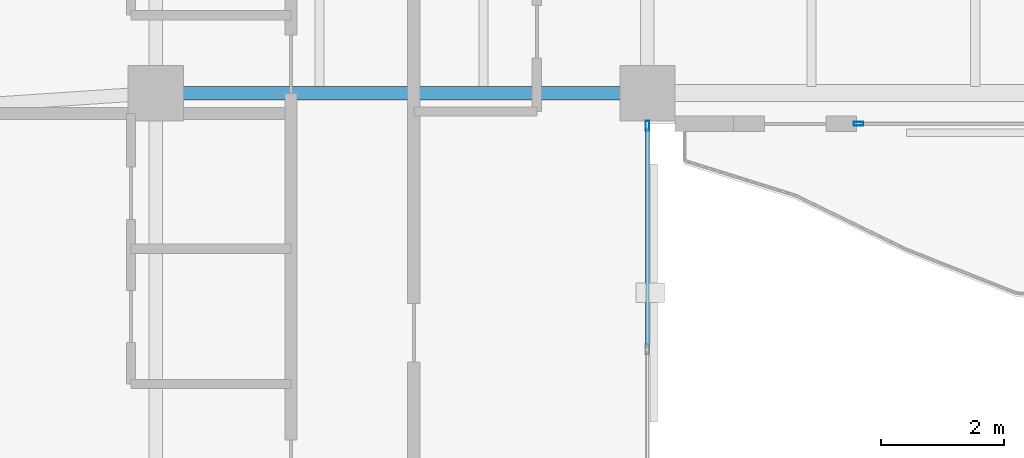
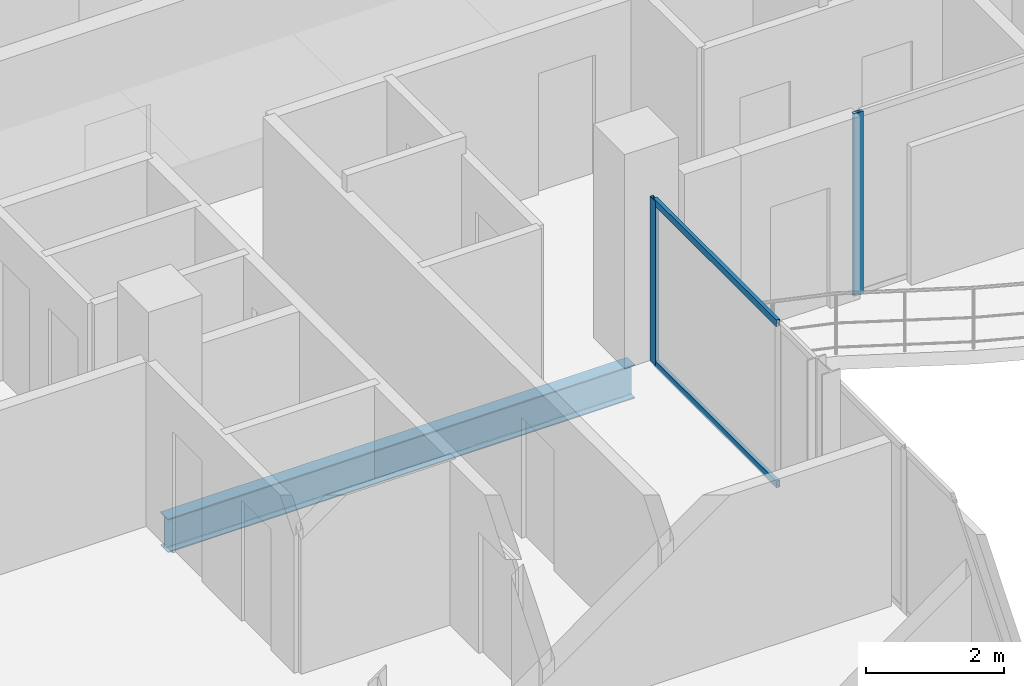
# One storey, part 8 of 22: 4 members, 1 beam, 2 elements without a shape of their own.
"""IFC4 building model written with IfcOpenShell, lengths in metres."""

import ifcopenshell
import ifcopenshell.guid

model = None  # the IFC model being written
_history = None  # IfcOwnerHistory: only IFC2X3 demands one
_inside = {}  # id of a spatial element -> (the spatial element, [elements in it])
_under = {}  # id of a project, library or spatial element -> (it, [spatial elements below it])
_declared = {}  # id of a project -> (the project, [libraries it declares])
_typed = {}  # id of a type object -> (the type object, [elements of that type])
_made_of = {}  # id of a material, layer set ... -> (it, [elements and type objects made of it])


def new_model(schema):
    """Start an empty IFC model of exactly this schema.

    Asked for "IFC4X3", IfcOpenShell would pick the latest addendum, in which some entities
    have other attributes; the version numbers below select the first issue.
    IFC2X3 requires an IfcOwnerHistory on every rooted entity: one is made here for all.
    """
    global model, _history
    if schema == "IFC4X3":
        model = ifcopenshell.file(schema_version=(4, 3, 0, 0))
    else:
        model = ifcopenshell.file(schema=schema)
    _inside.clear()
    _under.clear()
    _declared.clear()
    _typed.clear()
    _made_of.clear()
    _history = None
    if model.schema == "IFC2X3":
        org = make("IfcOrganization", Name="unknown")
        user = make(
            "IfcPersonAndOrganization",
            ThePerson=make("IfcPerson", FamilyName="unknown"),
            TheOrganization=org,
        )
        app = make(
            "IfcApplication",
            ApplicationDeveloper=org,
            Version="unknown",
            ApplicationFullName="unknown",
            ApplicationIdentifier="unknown",
        )
        _history = make(
            "IfcOwnerHistory",
            OwningUser=user,
            OwningApplication=app,
            ChangeAction="ADDED",
            CreationDate=0,
        )
    return model


def make(cls, **values):
    """One entity of the class cls with the attributes given. An attribute that is None is left unset."""
    return model.create_entity(
        cls, **{name: value for name, value in values.items() if value is not None}
    )


def rooted(cls, **values):
    """An entity with a GlobalId (a new one), such as an element, a storey or a relation."""
    return make(cls, GlobalId=ifcopenshell.guid.new(), OwnerHistory=_history, **values)


def si_unit(unit_type, name, prefix=None):
    """IfcSIUnit, for example si_unit("LENGTHUNIT", "METRE", prefix="MILLI")."""
    return make("IfcSIUnit", UnitType=unit_type, Prefix=prefix, Name=name)


def assignment(units):
    """IfcUnitAssignment: the units of a project."""
    return None if units is None else make("IfcUnitAssignment", Units=units)


def point(xyz):
    """IfcCartesianPoint."""
    return None if xyz is None else make("IfcCartesianPoint", Coordinates=xyz)


def direction(xyz):
    """IfcDirection."""
    return None if xyz is None else make("IfcDirection", DirectionRatios=xyz)


def frame(location, z_axis=None, x_axis=None):
    """IfcAxis2Placement3D, a coordinate frame: its origin and axes. An axis left out is left unset."""
    return make(
        "IfcAxis2Placement3D",
        Location=point(location),
        Axis=direction(z_axis),
        RefDirection=direction(x_axis),
    )


def frame_2d(location, x_axis=None):
    """IfcAxis2Placement2D, a coordinate frame in the plane: its origin and x axis."""
    return make(
        "IfcAxis2Placement2D", Location=point(location), RefDirection=direction(x_axis)
    )


def origin():
    """The frame at (0, 0, 0) with its axes left unset."""
    return frame((0.0, 0.0, 0.0))


def origin_2d():
    """The frame at (0, 0) in the plane with its x axis left unset."""
    return frame_2d((0.0, 0.0))


def place(relative_to, where):
    """IfcLocalPlacement: puts the frame where relative to a parent placement (None: the world)."""
    return make(
        "IfcLocalPlacement", PlacementRelTo=relative_to, RelativePlacement=where
    )


def context(
    kind, dimensions, precision=None, world=None, true_north=None, identifier=None
):
    """IfcGeometricRepresentationContext, for example the 3D "Model" context."""
    return make(
        "IfcGeometricRepresentationContext",
        ContextIdentifier=identifier,
        ContextType=kind,
        CoordinateSpaceDimension=dimensions,
        Precision=precision,
        WorldCoordinateSystem=world,
        TrueNorth=true_north,
    )


def subcontext(parent, identifier, kind, view, scale=None):
    """IfcGeometricRepresentationSubContext, for example "Body" below "Model"."""
    return make(
        "IfcGeometricRepresentationSubContext",
        ContextIdentifier=identifier,
        ContextType=kind,
        ParentContext=parent,
        TargetScale=scale,
        TargetView=view,
    )


def project(units=None, contexts=None):
    """IfcProject with its units and contexts."""
    return rooted(
        "IfcProject",
        Name="project",
        RepresentationContexts=contexts,
        UnitsInContext=assignment(units),
    )


def spatial(cls, under=None, at=None, **own):
    """A site, building, storey or space (cls), placed at a placement, below another one or the project."""
    s = rooted(cls, ObjectPlacement=at, **own)
    if under is not None:
        _under.setdefault(under.id(), (under, []))[1].append(s)
    return s


def profile(cls, at=None, kind="AREA", **sizes):
    """A parametric profile (cls). Its sizes go by their IFC names, for example OverallWidth=200.0."""
    return make(cls, ProfileType=kind, Position=at, **sizes)


def hollow_rectangle(**sizes):
    """IfcRectangleHollowProfileDef."""
    return profile("IfcRectangleHollowProfileDef", **sizes)


def i_section(**sizes):
    """IfcIShapeProfileDef."""
    return profile("IfcIShapeProfileDef", **sizes)


def extrude(swept, where, along, depth):
    """IfcExtrudedAreaSolid: the profile swept, set in the frame where, extruded along a direction by depth."""
    return make(
        "IfcExtrudedAreaSolid",
        SweptArea=swept,
        Position=where,
        ExtrudedDirection=direction(along),
        Depth=depth,
    )


def shape(context_of_items, identifier, shape_type, items):
    """IfcShapeRepresentation: the items that make up one representation, for example the "Body"."""
    return make(
        "IfcShapeRepresentation",
        ContextOfItems=context_of_items,
        RepresentationIdentifier=identifier,
        RepresentationType=shape_type,
        Items=items,
    )


def material(Name=None, Category=None):
    """IfcMaterial."""
    return make("IfcMaterial", Name=Name, Category=Category)


def layer(
    of_material, thickness, ventilated=None, Name=None, Category=None, Priority=None
):
    """IfcMaterialLayer: one layer of a wall or slab, of a material (None: an air gap)."""
    return make(
        "IfcMaterialLayer",
        Material=of_material,
        LayerThickness=thickness,
        IsVentilated=ventilated,
        Name=Name,
        Category=Category,
        Priority=Priority,
    )


def layer_set(layers, Name=None):
    """IfcMaterialLayerSet."""
    return make("IfcMaterialLayerSet", MaterialLayers=layers, LayerSetName=Name)


def material_profile(
    of_material, cross_section, Name=None, Category=None, Priority=None
):
    """IfcMaterialProfile: a cross section and its material."""
    return make(
        "IfcMaterialProfile",
        Name=Name,
        Material=of_material,
        Profile=cross_section,
        Priority=Priority,
        Category=Category,
    )


def profile_set(profiles, Name=None, composite=None):
    """IfcMaterialProfileSet."""
    return make(
        "IfcMaterialProfileSet",
        Name=Name,
        MaterialProfiles=profiles,
        CompositeProfile=composite,
    )


def made_of(thing, what):
    """Note that an element or type object is made of a material, layer set ...; save() writes the relation."""
    if what is not None:
        _made_of.setdefault(what.id(), (what, []))[1].append(thing)
    return thing


def type_object(cls, material=None, **own):
    """A type object (cls), such as IfcWallType, which elements share."""
    return made_of(rooted(cls, **own), material)


def element(
    cls,
    number,
    at=None,
    inside=None,
    cuts=None,
    type_object=None,
    material=None,
    context=None,
    identifier="Body",
    shape_type=None,
    held_by="IfcProductDefinitionShape",
    body=None,
    shapes=None,
    **own,
):
    """One element of the class cls, such as IfcWall. Its Tag is "e" and its number.

    at: its placement. inside: the storey or other place that contains it. cuts: it is an
    opening in that element (IfcRelVoidsElement). A single representation is given by context,
    identifier, shape_type and body (its items); several are given by shapes. held_by: the class
    of the entity that holds the representations. save() writes the other relations.
    """
    e = rooted(cls, Tag="e%d" % number, ObjectPlacement=at, **own)
    if body is not None:
        shapes = [shape(context, identifier, shape_type, body)]
    if shapes is not None:
        e.Representation = make(held_by, Representations=shapes)
    if inside is not None:
        _inside.setdefault(inside.id(), (inside, []))[1].append(e)
    if cuts is not None:
        rooted(
            "IfcRelVoidsElement", RelatingBuildingElement=cuts, RelatedOpeningElement=e
        )
    if type_object is not None:
        _typed.setdefault(type_object.id(), (type_object, []))[1].append(e)
    return made_of(e, material)


def aggregate(whole, parts):
    """IfcRelAggregates: a whole, such as a stair, and the parts it consists of."""
    return rooted("IfcRelAggregates", RelatingObject=whole, RelatedObjects=parts)


def save(model, path):
    """Write the relations noted so far, then the file.

    IfcRelAggregates (storeys below a building ...), IfcRelContainedInSpatialStructure (elements
    in a storey), IfcRelDefinesByType, IfcRelAssociatesMaterial and IfcRelDeclares: one each for
    every whole, place, type object, material and project.
    """
    for whole, parts in _under.values():
        aggregate(whole, parts)
    for where, things in _inside.values():
        rooted(
            "IfcRelContainedInSpatialStructure",
            RelatedElements=things,
            RelatingStructure=where,
        )
    for kind, things in _typed.values():
        rooted("IfcRelDefinesByType", RelatedObjects=things, RelatingType=kind)
    for what, things in _made_of.values():
        rooted("IfcRelAssociatesMaterial", RelatedObjects=things, RelatingMaterial=what)
    for by, libraries in _declared.values():
        rooted("IfcRelDeclares", RelatingContext=by, RelatedDefinitions=libraries)
    model.write(path)


model = new_model("IFC4")

# Units and contexts
model_context = context("Model", 3, precision=1e-05, world=origin(), true_north=direction((0.0, 1.0)))
body_context = subcontext(model_context, "Body", "Model", "MODEL_VIEW")
ifc_project = project(units=[si_unit("LENGTHUNIT", "METRE"), si_unit("AREAUNIT", "SQUARE_METRE"), si_unit("VOLUMEUNIT", "CUBIC_METRE"), si_unit("PLANEANGLEUNIT", "RADIAN"), si_unit("MASSUNIT", "GRAM", prefix="KILO")], contexts=[model_context])

# Site, building, storey
site_placement = place(None, origin())
site = spatial("IfcSite", under=ifc_project, at=site_placement, CompositionType="ELEMENT")
building_placement = place(site_placement, origin())
building = spatial("IfcBuilding", under=site, at=building_placement, Name="Catumbela Crestline Tower", CompositionType="ELEMENT")
storey_placement = place(building_placement, frame((0.0, 0.0, 229.8)))
storey = spatial("IfcBuildingStorey", under=building, at=storey_placement, Name="L59", CompositionType="ELEMENT", Elevation=229.8)

# Beam
ifc_material_1 = material(Name="Structural steel S355J2", Category="steel")
ifc_material_profile_1 = material_profile(ifc_material_1, i_section(OverallWidth=0.22, OverallDepth=0.6, WebThickness=0.012, FlangeThickness=0.019, FilletRadius=0.024, at=origin_2d()), Name="IPE 600")
ifc_profile_set_1 = profile_set([ifc_material_profile_1], Name="Structural steel S355J2")
beam_type = type_object("IfcBeamType", Name="BG-IPE600", PredefinedType="BEAM", material=ifc_profile_set_1)
beam_placement = place(storey_placement, frame((16.08, 24.5, -0.56), z_axis=(1.0, 0.0, 0.0), x_axis=(0.0, 1.0, 0.0)))
element("IfcBeam", 1, at=beam_placement, inside=storey, type_object=beam_type, Name="L59 Beam BM-L59-S03", PredefinedType="BEAM", context=body_context, shape_type="SweptSolid", body=[
    extrude(i_section(OverallWidth=0.22, OverallDepth=0.6, WebThickness=0.012, FlangeThickness=0.019, FilletRadius=0.024, at=origin_2d()), origin(), (0.0, 0.0, 1.0), 7.84),
])

# Curtain wall, member
ifc_material_2 = material(Name="Aluminium alloy AW-6060-T66", Category="aluminium")
ifc_layer = layer(ifc_material_2, 0.18, Name="Aluminium alloy AW-6060-T66")
ifc_layer_set = layer_set([ifc_layer], Name="Aluminium alloy AW-6060-T66")
curtain_wall_type = type_object("IfcCurtainWallType", Name="CWU-Z4", PredefinedType="USERDEFINED", material=ifc_layer_set)
curtain_wall_1_placement = place(storey_placement, origin())
curtain_wall_1 = element("IfcCurtainWall", 2, at=curtain_wall_1_placement, inside=storey, type_object=curtain_wall_type, Name="L59 Unitised Curtain Wall CW-L59-E2S1", ObjectType="UNITISED", PredefinedType="USERDEFINED")
ifc_material_profile_2 = material_profile(ifc_material_2, hollow_rectangle(XDim=0.06, YDim=0.16, WallThickness=0.004, at=origin_2d()), Name="ALU 160x60x4")
ifc_profile_set_2 = profile_set([ifc_material_profile_2], Name="Aluminium alloy AW-6060-T66")
member_type_1 = type_object("IfcMemberType", Name="MUL-160X60", PredefinedType="MULLION", material=ifc_profile_set_2)
member_1_placement = place(storey_placement, frame((24.0, 23.9675, 0.0), z_axis=(0.0, 0.0, 1.0), x_axis=(-1.0, 0.0, 0.0)))
member_1 = element("IfcMember", 3, at=member_1_placement, type_object=member_type_1, Name="CWU-Z4 mullion 4", PredefinedType="MULLION", context=body_context, shape_type="SweptSolid", body=[
    extrude(hollow_rectangle(XDim=0.06, YDim=0.16, WallThickness=0.004, at=origin_2d()), origin(), (0.0, 0.0, 1.0), 2.92),
])

curtain_wall_2_placement = place(storey_placement, origin())
curtain_wall_2 = element("IfcCurtainWall", 4, at=curtain_wall_2_placement, inside=storey, type_object=curtain_wall_type, Name="L59 Unitised Curtain Wall CW-L59-E3S2", ObjectType="UNITISED", PredefinedType="USERDEFINED")
member_2_placement = place(storey_placement, frame((27.4325, 24.0, 0.0), z_axis=(0.0, 0.0, 1.0), x_axis=(0.0, 1.0, 0.0)))
member_2 = element("IfcMember", 5, at=member_2_placement, type_object=member_type_1, Name="CWU-Z4 mullion 1", PredefinedType="MULLION", context=body_context, shape_type="SweptSolid", body=[
    extrude(hollow_rectangle(XDim=0.06, YDim=0.16, WallThickness=0.004, at=origin_2d()), origin(), (0.0, 0.0, 1.0), 3.24),
])
aggregate(curtain_wall_2, [member_2])

# Member
ifc_material_profile_3 = material_profile(ifc_material_2, hollow_rectangle(XDim=0.06, YDim=0.12, WallThickness=0.0035, at=origin_2d()), Name="ALU 120x60x3.5")
ifc_profile_set_3 = profile_set([ifc_material_profile_3], Name="Aluminium alloy AW-6060-T66")
member_type_2 = type_object("IfcMemberType", Name="TRN-120X60", PredefinedType="USERDEFINED", material=ifc_profile_set_3)
member_3_placement = place(storey_placement, frame((24.0, 20.3658, 0.03), z_axis=(0.0, 1.0, 0.0), x_axis=(-1.0, 0.0, 0.0)))
member_3 = element("IfcMember", 6, at=member_3_placement, type_object=member_type_2, Name="CWU-Z4 transom 3.1", ObjectType="TRANSOM", PredefinedType="USERDEFINED", context=body_context, shape_type="SweptSolid", body=[
    extrude(hollow_rectangle(XDim=0.06, YDim=0.12, WallThickness=0.0035, at=origin_2d()), origin(), (0.0, 0.0, 1.0), 3.5692),
])

member_4_placement = place(storey_placement, frame((24.0, 20.3658, 2.89), z_axis=(0.0, 1.0, 0.0), x_axis=(-1.0, 0.0, 0.0)))
member_4 = element("IfcMember", 7, at=member_4_placement, type_object=member_type_2, Name="CWU-Z4 transom 3.2", ObjectType="TRANSOM", PredefinedType="USERDEFINED", context=body_context, shape_type="SweptSolid", body=[
    extrude(hollow_rectangle(XDim=0.06, YDim=0.12, WallThickness=0.0035, at=origin_2d()), origin(), (0.0, 0.0, 1.0), 3.5692),
])

aggregate(curtain_wall_1, [member_1, member_3, member_4])

save(model, "model.ifc")
